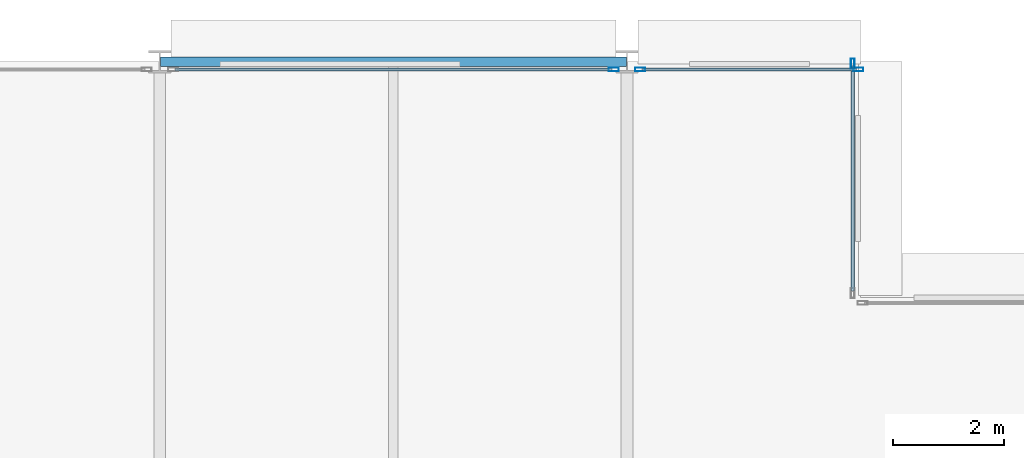
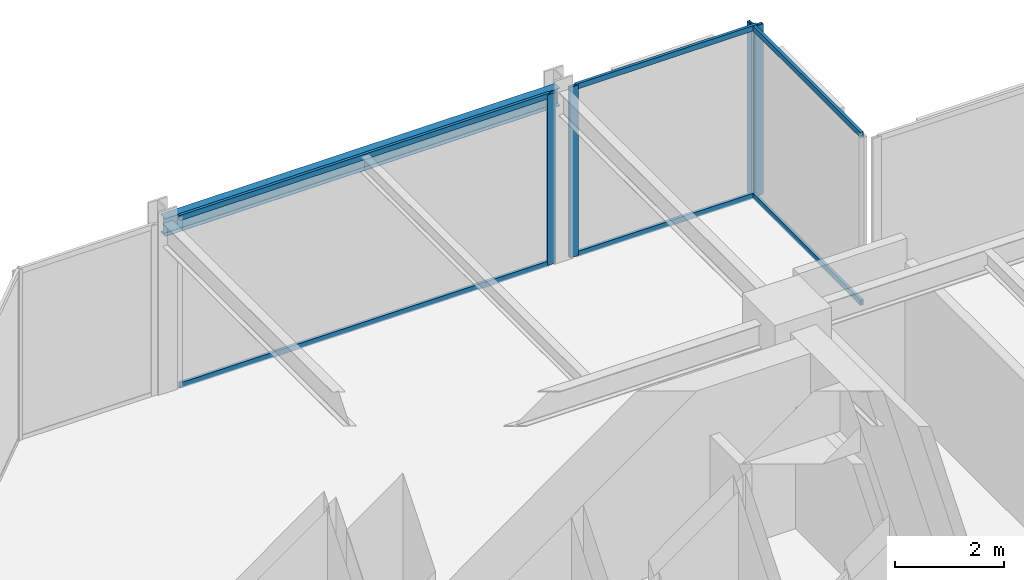
# One storey, part 30 of 39: 10 members, 1 beam, 3 elements without a shape of their own.
"""IFC4 building model written with IfcOpenShell, lengths in metres."""

from ifc_helpers import new_model, si_unit, direction, frame, origin, origin_2d, place, context, subcontext, project, spatial, hollow_rectangle, i_section, extrude, material, layer, layer_set, material_profile, profile_set, type_object, element, aggregate, save


model = new_model("IFC4")

# Units and contexts
model_context = context("Model", 3, precision=1e-05, world=origin(), true_north=direction((0.0, 1.0)))
body_context = subcontext(model_context, "Body", "Model", "MODEL_VIEW")
ifc_project = project(units=[si_unit("LENGTHUNIT", "METRE"), si_unit("AREAUNIT", "SQUARE_METRE"), si_unit("VOLUMEUNIT", "CUBIC_METRE"), si_unit("PLANEANGLEUNIT", "RADIAN"), si_unit("MASSUNIT", "GRAM", prefix="KILO")], contexts=[model_context])

# Site, building, storey
site_placement = place(None, origin())
site = spatial("IfcSite", under=ifc_project, at=site_placement, CompositionType="ELEMENT")
building_placement = place(site_placement, origin())
building = spatial("IfcBuilding", under=site, at=building_placement, Name="Nerrivon Quay Data Exchange", CompositionType="ELEMENT")
storey_placement = place(building_placement, frame((0.0, 0.0, 104.89990234375)))
storey = spatial("IfcBuildingStorey", under=building, at=storey_placement, Name="L24", CompositionType="ELEMENT", Elevation=104.89990234375)

# Beam
ifc_material_1 = material(Name="Steel Grade 350", Category="steel")
ifc_material_profile_1 = material_profile(ifc_material_1, i_section(OverallWidth=0.177978515625, OverallDepth=0.403076171875, WebThickness=0.007568359375, FlangeThickness=0.010986328125, FilletRadius=0.011474609375, at=origin_2d()), Name="410UB53.7")
ifc_profile_set_1 = profile_set([ifc_material_profile_1], Name="Steel Grade 350")
beam_type = type_object("IfcBeamType", Name="BM-SP2-410UB54", PredefinedType="SPANDREL", material=ifc_profile_set_1)
beam_placement = place(storey_placement, frame((8.41259765625, 50.39990234375, 3.62353515625), z_axis=(1.0, 0.0, 0.0), x_axis=(0.0, 1.0, 0.0)))
element("IfcBeam", 1, at=beam_placement, inside=storey, type_object=beam_type, Name="L24 EW Girder Y=50.4 (8.4..16.8)", PredefinedType="SPANDREL", context=body_context, shape_type="SweptSolid", body=[
    extrude(i_section(OverallWidth=0.177978515625, OverallDepth=0.403076171875, WebThickness=0.007568359375, FlangeThickness=0.010986328125, FilletRadius=0.011474609375, at=origin_2d()), origin(), (0.0, 0.0, 1.0), 8.375),
])

# Curtain wall, member
ifc_material_2 = material(Name="Anodised aluminium 6063-T6", Category="aluminium")
ifc_layer = layer(ifc_material_2, 0.2099609375)
ifc_layer_set = layer_set([ifc_layer], Name="Anodised aluminium 6063-T6")
curtain_wall_type = type_object("IfcCurtainWallType", Name="CW-SYS-02", PredefinedType="NOTDEFINED", material=ifc_layer_set)
curtain_wall_1_placement = place(storey_placement, origin())
curtain_wall_1 = element("IfcCurtainWall", 2, at=curtain_wall_1_placement, inside=storey, type_object=curtain_wall_type, Name="L24 Unitised Curtain Wall 25", PredefinedType="NOTDEFINED")
ifc_material_profile_2 = material_profile(ifc_material_2, hollow_rectangle(XDim=0.06494140625, YDim=0.179931640625, WallThickness=0.00341796875, at=origin_2d()), Name="ALU-MULL-180x65")
ifc_profile_set_2 = profile_set([ifc_material_profile_2], Name="Anodised aluminium 6063-T6")
member_type_1 = type_object("IfcMemberType", Name="CWM-180x65", PredefinedType="MULLION", material=ifc_profile_set_2)
member_1_placement = place(storey_placement, frame((16.5625, 50.260009765625, 0.0), z_axis=(0.0, 0.0, 1.0), x_axis=(0.0, 1.0, 0.0)))
member_1 = element("IfcMember", 3, at=member_1_placement, type_object=member_type_1, Name="CW02 mullion 2", PredefinedType="MULLION", context=body_context, shape_type="SweptSolid", body=[
    extrude(hollow_rectangle(XDim=0.06494140625, YDim=0.179931640625, WallThickness=0.00341796875, at=origin_2d()), origin(), (0.0, 0.0, 1.0), 3.8251953125),
])

# Curtain wall, members
curtain_wall_2_placement = place(storey_placement, origin())
curtain_wall_2 = element("IfcCurtainWall", 4, at=curtain_wall_2_placement, inside=storey, type_object=curtain_wall_type, Name="L24 Unitised Curtain Wall 26", PredefinedType="NOTDEFINED")
member_2_placement = place(storey_placement, frame((17.03759765625, 50.260009765625, 0.0), z_axis=(0.0, 0.0, 1.0), x_axis=(0.0, 1.0, 0.0)))
member_2 = element("IfcMember", 5, at=member_2_placement, type_object=member_type_1, Name="CW02 mullion 1", PredefinedType="MULLION", context=body_context, shape_type="SweptSolid", body=[
    extrude(hollow_rectangle(XDim=0.06494140625, YDim=0.179931640625, WallThickness=0.00341796875, at=origin_2d()), origin(), (0.0, 0.0, 1.0), 3.8251953125),
])
member_3_placement = place(storey_placement, frame((20.96240234375, 50.260009765625, 0.0), z_axis=(0.0, 0.0, 1.0), x_axis=(0.0, 1.0, 0.0)))
member_3 = element("IfcMember", 6, at=member_3_placement, type_object=member_type_1, Name="CW02 mullion 2", PredefinedType="MULLION", context=body_context, shape_type="SweptSolid", body=[
    extrude(hollow_rectangle(XDim=0.06494140625, YDim=0.179931640625, WallThickness=0.00341796875, at=origin_2d()), origin(), (0.0, 0.0, 1.0), 3.8251953125),
])

# Curtain wall, member
curtain_wall_3_placement = place(storey_placement, origin())
curtain_wall_3 = element("IfcCurtainWall", 7, at=curtain_wall_3_placement, inside=storey, type_object=curtain_wall_type, Name="L24 Unitised Curtain Wall 27", PredefinedType="NOTDEFINED")
member_4_placement = place(storey_placement, frame((20.860107421875, 50.362548828125, 0.0), z_axis=(0.0, 0.0, 1.0), x_axis=(1.0, 0.0, 0.0)))
member_4 = element("IfcMember", 8, at=member_4_placement, type_object=member_type_1, Name="CW02 mullion 1", PredefinedType="MULLION", context=body_context, shape_type="SweptSolid", body=[
    extrude(hollow_rectangle(XDim=0.06494140625, YDim=0.179931640625, WallThickness=0.00341796875, at=origin_2d()), origin(), (0.0, 0.0, 1.0), 3.8251953125),
])

# Member
ifc_material_profile_3 = material_profile(ifc_material_2, hollow_rectangle(XDim=0.06005859375, YDim=0.1201171875, WallThickness=0.003173828125, at=origin_2d()), Name="ALU-TRAN-120x60")
ifc_profile_set_3 = profile_set([ifc_material_profile_3], Name="Anodised aluminium 6063-T6")
member_type_2 = type_object("IfcMemberType", Name="CWT-120x60", PredefinedType="USERDEFINED", material=ifc_profile_set_3)
member_5_placement = place(storey_placement, frame((8.675048828125, 50.260009765625, 0.03271484375), z_axis=(1.0, 0.0, 0.0), x_axis=(0.0, 1.0, 0.0)))
member_5 = element("IfcMember", 9, at=member_5_placement, type_object=member_type_2, Name="CW02 transom 1.1", ObjectType="TRANSOM", PredefinedType="USERDEFINED", context=body_context, shape_type="SweptSolid", body=[
    extrude(hollow_rectangle(XDim=0.06005859375, YDim=0.1201171875, WallThickness=0.003173828125, at=origin_2d()), origin(), (0.0, 0.0, 1.0), 7.849853515625),
])

member_6_placement = place(storey_placement, frame((8.675048828125, 50.260009765625, 3.79248046875), z_axis=(1.0, 0.0, 0.0), x_axis=(0.0, 1.0, 0.0)))
member_6 = element("IfcMember", 10, at=member_6_placement, type_object=member_type_2, Name="CW02 transom 1.2", ObjectType="TRANSOM", PredefinedType="USERDEFINED", context=body_context, shape_type="SweptSolid", body=[
    extrude(hollow_rectangle(XDim=0.06005859375, YDim=0.1201171875, WallThickness=0.003173828125, at=origin_2d()), origin(), (0.0, 0.0, 1.0), 7.849853515625),
])

aggregate(curtain_wall_1, [member_1, member_5, member_6])

member_7_placement = place(storey_placement, frame((17.074951171875, 50.260009765625, 0.03271484375), z_axis=(1.0, 0.0, 0.0), x_axis=(0.0, 1.0, 0.0)))
member_7 = element("IfcMember", 11, at=member_7_placement, type_object=member_type_2, Name="CW02 transom 1.1", ObjectType="TRANSOM", PredefinedType="USERDEFINED", context=body_context, shape_type="SweptSolid", body=[
    extrude(hollow_rectangle(XDim=0.06005859375, YDim=0.1201171875, WallThickness=0.003173828125, at=origin_2d()), origin(), (0.0, 0.0, 1.0), 3.85009765625),
])

member_8_placement = place(storey_placement, frame((17.074951171875, 50.260009765625, 3.79248046875), z_axis=(1.0, 0.0, 0.0), x_axis=(0.0, 1.0, 0.0)))
member_8 = element("IfcMember", 12, at=member_8_placement, type_object=member_type_2, Name="CW02 transom 1.2", ObjectType="TRANSOM", PredefinedType="USERDEFINED", context=body_context, shape_type="SweptSolid", body=[
    extrude(hollow_rectangle(XDim=0.06005859375, YDim=0.1201171875, WallThickness=0.003173828125, at=origin_2d()), origin(), (0.0, 0.0, 1.0), 3.85009765625),
])

aggregate(curtain_wall_2, [member_2, member_3, member_7, member_8])

member_9_placement = place(storey_placement, frame((20.860107421875, 50.324951171875, 0.03271484375), z_axis=(0.0, -1.0, 0.0), x_axis=(1.0, 0.0, 0.0)))
member_9 = element("IfcMember", 13, at=member_9_placement, type_object=member_type_2, Name="CW02 transom 1.1", ObjectType="TRANSOM", PredefinedType="USERDEFINED", context=body_context, shape_type="SweptSolid", body=[
    extrude(hollow_rectangle(XDim=0.06005859375, YDim=0.1201171875, WallThickness=0.003173828125, at=origin_2d()), origin(), (0.0, 0.0, 1.0), 4.050048828125),
])

member_10_placement = place(storey_placement, frame((20.860107421875, 50.324951171875, 3.79248046875), z_axis=(0.0, -1.0, 0.0), x_axis=(1.0, 0.0, 0.0)))
member_10 = element("IfcMember", 14, at=member_10_placement, type_object=member_type_2, Name="CW02 transom 1.2", ObjectType="TRANSOM", PredefinedType="USERDEFINED", context=body_context, shape_type="SweptSolid", body=[
    extrude(hollow_rectangle(XDim=0.06005859375, YDim=0.1201171875, WallThickness=0.003173828125, at=origin_2d()), origin(), (0.0, 0.0, 1.0), 4.050048828125),
])

aggregate(curtain_wall_3, [member_4, member_9, member_10])

save(model, "model.ifc")
